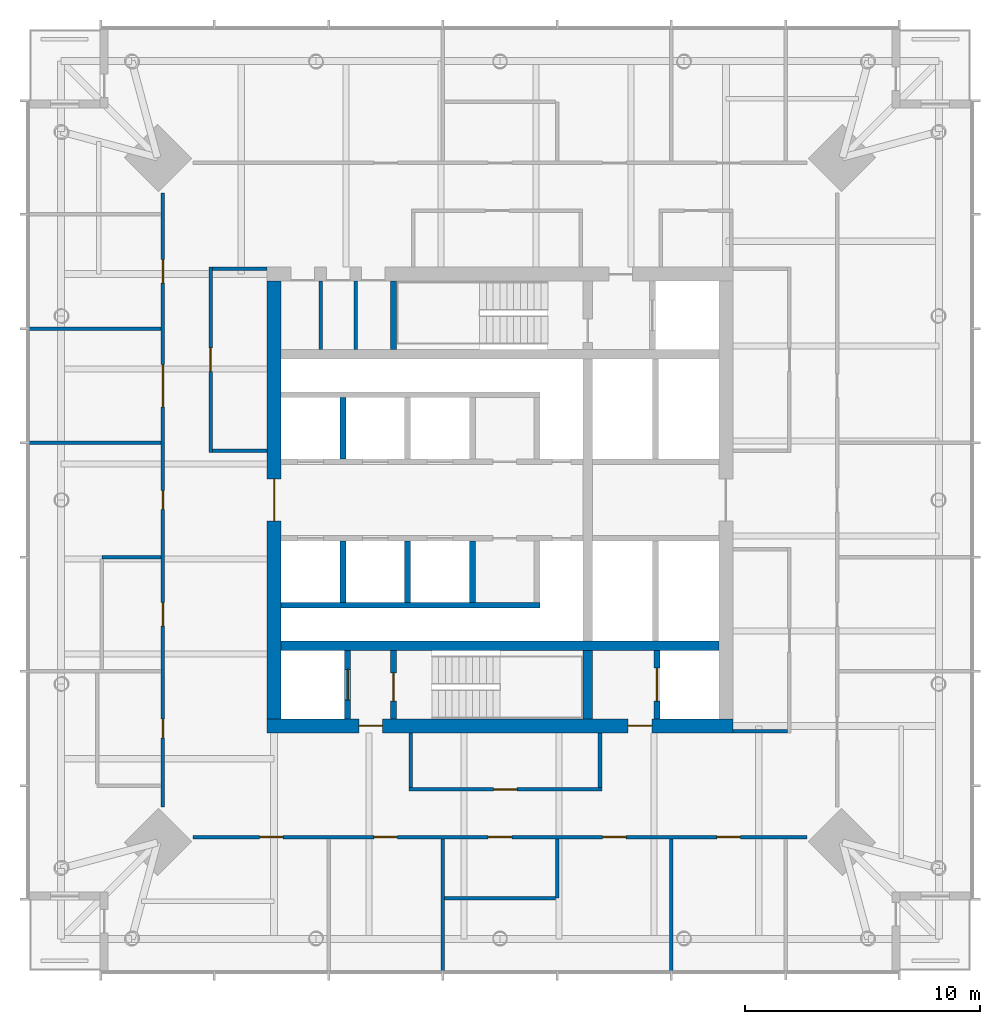
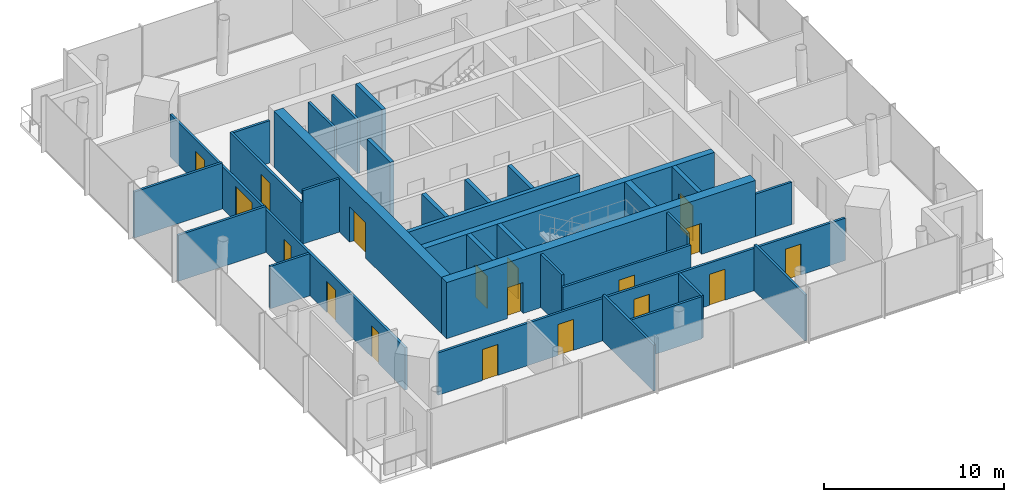
# One storey, part 4 of 7: 31 walls, 18 doors, 18 openings.
"""IFC4 building model written with IfcOpenShell, lengths in metres."""

import ifcopenshell
import ifcopenshell.guid

model = None  # the IFC model being written
_history = None  # IfcOwnerHistory: only IFC2X3 demands one
_inside = {}  # id of a spatial element -> (the spatial element, [elements in it])
_under = {}  # id of a project, library or spatial element -> (it, [spatial elements below it])
_declared = {}  # id of a project -> (the project, [libraries it declares])
_typed = {}  # id of a type object -> (the type object, [elements of that type])
_made_of = {}  # id of a material, layer set ... -> (it, [elements and type objects made of it])


def new_model(schema):
    """Start an empty IFC model of exactly this schema.

    Asked for "IFC4X3", IfcOpenShell would pick the latest addendum, in which some entities
    have other attributes; the version numbers below select the first issue.
    IFC2X3 requires an IfcOwnerHistory on every rooted entity: one is made here for all.
    """
    global model, _history
    if schema == "IFC4X3":
        model = ifcopenshell.file(schema_version=(4, 3, 0, 0))
    else:
        model = ifcopenshell.file(schema=schema)
    _inside.clear()
    _under.clear()
    _declared.clear()
    _typed.clear()
    _made_of.clear()
    _history = None
    if model.schema == "IFC2X3":
        org = make("IfcOrganization", Name="unknown")
        user = make(
            "IfcPersonAndOrganization",
            ThePerson=make("IfcPerson", FamilyName="unknown"),
            TheOrganization=org,
        )
        app = make(
            "IfcApplication",
            ApplicationDeveloper=org,
            Version="unknown",
            ApplicationFullName="unknown",
            ApplicationIdentifier="unknown",
        )
        _history = make(
            "IfcOwnerHistory",
            OwningUser=user,
            OwningApplication=app,
            ChangeAction="ADDED",
            CreationDate=0,
        )
    return model


def make(cls, **values):
    """One entity of the class cls with the attributes given. An attribute that is None is left unset."""
    return model.create_entity(
        cls, **{name: value for name, value in values.items() if value is not None}
    )


def rooted(cls, **values):
    """An entity with a GlobalId (a new one), such as an element, a storey or a relation."""
    return make(cls, GlobalId=ifcopenshell.guid.new(), OwnerHistory=_history, **values)


def si_unit(unit_type, name, prefix=None):
    """IfcSIUnit, for example si_unit("LENGTHUNIT", "METRE", prefix="MILLI")."""
    return make("IfcSIUnit", UnitType=unit_type, Prefix=prefix, Name=name)


def assignment(units):
    """IfcUnitAssignment: the units of a project."""
    return None if units is None else make("IfcUnitAssignment", Units=units)


def point(xyz):
    """IfcCartesianPoint."""
    return None if xyz is None else make("IfcCartesianPoint", Coordinates=xyz)


def direction(xyz):
    """IfcDirection."""
    return None if xyz is None else make("IfcDirection", DirectionRatios=xyz)


def frame(location, z_axis=None, x_axis=None):
    """IfcAxis2Placement3D, a coordinate frame: its origin and axes. An axis left out is left unset."""
    return make(
        "IfcAxis2Placement3D",
        Location=point(location),
        Axis=direction(z_axis),
        RefDirection=direction(x_axis),
    )


def frame_2d(location, x_axis=None):
    """IfcAxis2Placement2D, a coordinate frame in the plane: its origin and x axis."""
    return make(
        "IfcAxis2Placement2D", Location=point(location), RefDirection=direction(x_axis)
    )


def origin():
    """The frame at (0, 0, 0) with its axes left unset."""
    return frame((0.0, 0.0, 0.0))


def place(relative_to, where):
    """IfcLocalPlacement: puts the frame where relative to a parent placement (None: the world)."""
    return make(
        "IfcLocalPlacement", PlacementRelTo=relative_to, RelativePlacement=where
    )


def context(
    kind, dimensions, precision=None, world=None, true_north=None, identifier=None
):
    """IfcGeometricRepresentationContext, for example the 3D "Model" context."""
    return make(
        "IfcGeometricRepresentationContext",
        ContextIdentifier=identifier,
        ContextType=kind,
        CoordinateSpaceDimension=dimensions,
        Precision=precision,
        WorldCoordinateSystem=world,
        TrueNorth=true_north,
    )


def subcontext(parent, identifier, kind, view, scale=None):
    """IfcGeometricRepresentationSubContext, for example "Body" below "Model"."""
    return make(
        "IfcGeometricRepresentationSubContext",
        ContextIdentifier=identifier,
        ContextType=kind,
        ParentContext=parent,
        TargetScale=scale,
        TargetView=view,
    )


def project(units=None, contexts=None):
    """IfcProject with its units and contexts."""
    return rooted(
        "IfcProject",
        Name="project",
        RepresentationContexts=contexts,
        UnitsInContext=assignment(units),
    )


def spatial(cls, under=None, at=None, **own):
    """A site, building, storey or space (cls), placed at a placement, below another one or the project."""
    s = rooted(cls, ObjectPlacement=at, **own)
    if under is not None:
        _under.setdefault(under.id(), (under, []))[1].append(s)
    return s


def profile(cls, at=None, kind="AREA", **sizes):
    """A parametric profile (cls). Its sizes go by their IFC names, for example OverallWidth=200.0."""
    return make(cls, ProfileType=kind, Position=at, **sizes)


def rectangle(**sizes):
    """IfcRectangleProfileDef."""
    return profile("IfcRectangleProfileDef", **sizes)


def extrude(swept, where, along, depth):
    """IfcExtrudedAreaSolid: the profile swept, set in the frame where, extruded along a direction by depth."""
    return make(
        "IfcExtrudedAreaSolid",
        SweptArea=swept,
        Position=where,
        ExtrudedDirection=direction(along),
        Depth=depth,
    )


def shape(context_of_items, identifier, shape_type, items):
    """IfcShapeRepresentation: the items that make up one representation, for example the "Body"."""
    return make(
        "IfcShapeRepresentation",
        ContextOfItems=context_of_items,
        RepresentationIdentifier=identifier,
        RepresentationType=shape_type,
        Items=items,
    )


def material(Name=None, Category=None):
    """IfcMaterial."""
    return make("IfcMaterial", Name=Name, Category=Category)


def layer(
    of_material, thickness, ventilated=None, Name=None, Category=None, Priority=None
):
    """IfcMaterialLayer: one layer of a wall or slab, of a material (None: an air gap)."""
    return make(
        "IfcMaterialLayer",
        Material=of_material,
        LayerThickness=thickness,
        IsVentilated=ventilated,
        Name=Name,
        Category=Category,
        Priority=Priority,
    )


def layer_set(layers, Name=None):
    """IfcMaterialLayerSet."""
    return make("IfcMaterialLayerSet", MaterialLayers=layers, LayerSetName=Name)


def made_of(thing, what):
    """Note that an element or type object is made of a material, layer set ...; save() writes the relation."""
    if what is not None:
        _made_of.setdefault(what.id(), (what, []))[1].append(thing)
    return thing


def type_object(cls, material=None, **own):
    """A type object (cls), such as IfcWallType, which elements share."""
    return made_of(rooted(cls, **own), material)


def element(
    cls,
    number,
    at=None,
    inside=None,
    cuts=None,
    type_object=None,
    material=None,
    context=None,
    identifier="Body",
    shape_type=None,
    held_by="IfcProductDefinitionShape",
    body=None,
    shapes=None,
    **own,
):
    """One element of the class cls, such as IfcWall. Its Tag is "e" and its number.

    at: its placement. inside: the storey or other place that contains it. cuts: it is an
    opening in that element (IfcRelVoidsElement). A single representation is given by context,
    identifier, shape_type and body (its items); several are given by shapes. held_by: the class
    of the entity that holds the representations. save() writes the other relations.
    """
    e = rooted(cls, Tag="e%d" % number, ObjectPlacement=at, **own)
    if body is not None:
        shapes = [shape(context, identifier, shape_type, body)]
    if shapes is not None:
        e.Representation = make(held_by, Representations=shapes)
    if inside is not None:
        _inside.setdefault(inside.id(), (inside, []))[1].append(e)
    if cuts is not None:
        rooted(
            "IfcRelVoidsElement", RelatingBuildingElement=cuts, RelatedOpeningElement=e
        )
    if type_object is not None:
        _typed.setdefault(type_object.id(), (type_object, []))[1].append(e)
    return made_of(e, material)


def fill(opening, filler):
    """IfcRelFillsElement: the door or window that sits in an opening."""
    return rooted(
        "IfcRelFillsElement",
        RelatingOpeningElement=opening,
        RelatedBuildingElement=filler,
    )


def aggregate(whole, parts):
    """IfcRelAggregates: a whole, such as a stair, and the parts it consists of."""
    return rooted("IfcRelAggregates", RelatingObject=whole, RelatedObjects=parts)


def save(model, path):
    """Write the relations noted so far, then the file.

    IfcRelAggregates (storeys below a building ...), IfcRelContainedInSpatialStructure (elements
    in a storey), IfcRelDefinesByType, IfcRelAssociatesMaterial and IfcRelDeclares: one each for
    every whole, place, type object, material and project.
    """
    for whole, parts in _under.values():
        aggregate(whole, parts)
    for where, things in _inside.values():
        rooted(
            "IfcRelContainedInSpatialStructure",
            RelatedElements=things,
            RelatingStructure=where,
        )
    for kind, things in _typed.values():
        rooted("IfcRelDefinesByType", RelatedObjects=things, RelatingType=kind)
    for what, things in _made_of.values():
        rooted("IfcRelAssociatesMaterial", RelatedObjects=things, RelatingMaterial=what)
    for by, libraries in _declared.values():
        rooted("IfcRelDeclares", RelatingContext=by, RelatedDefinitions=libraries)
    model.write(path)


model = new_model("IFC4")

# Units and contexts
model_context = context("Model", 3, precision=1e-05, world=origin(), true_north=direction((0.0, 1.0)))
body_context = subcontext(model_context, "Body", "Model", "MODEL_VIEW")
ifc_project = project(units=[si_unit("LENGTHUNIT", "METRE"), si_unit("AREAUNIT", "SQUARE_METRE"), si_unit("VOLUMEUNIT", "CUBIC_METRE"), si_unit("PLANEANGLEUNIT", "RADIAN"), si_unit("MASSUNIT", "GRAM", prefix="KILO")], contexts=[model_context])

# Site, building, storey
site_placement = place(None, origin())
site = spatial("IfcSite", under=ifc_project, at=site_placement, CompositionType="ELEMENT")
building_placement = place(site_placement, origin())
building = spatial("IfcBuilding", under=site, at=building_placement, Name="Ostroluk Exchange", CompositionType="ELEMENT")
storey_placement = place(building_placement, frame((0.0, 0.0, 188.199951171875)))
storey = spatial("IfcBuildingStorey", under=building, at=storey_placement, Name="L48", CompositionType="ELEMENT", Elevation=188.199951171875)

# Walls
ifc_material_1 = material(Name="Concrete blockwork", Category="masonry")
ifc_layer_1 = layer(ifc_material_1, 0.14990234375)
ifc_layer_set_1 = layer_set([ifc_layer_1], Name="Blockwork plant room wall 150")
wall_type_1 = type_object("IfcWallType", Name="Blockwork plant room wall 150", PredefinedType="SOLIDWALL", material=ifc_layer_set_1)
for number, where, z_axis, x_axis, name in (
    (1, (37.3740234375, 52.39990234375, 0.0), (0.0, 0.0, 1.0), (0.0, 1.0, 0.0), "Core room wall"),
    (2, (38.862060546875, 52.39990234375, 0.0), (0.0, 0.0, 1.0), (0.0, 1.0, 0.0), "Core room wall"),
):
    element("IfcWall", number, at=place(storey_placement, frame(where, z_axis=z_axis, x_axis=x_axis)), inside=storey, type_object=wall_type_1, Name=name, PredefinedType="SOLIDWALL", context=body_context, shape_type="SweptSolid", body=[
        extrude(rectangle(XDim=2.900146484375, YDim=0.14990234375, at=frame_2d((1.4501953125, 0.0))), origin(), (0.0, 0.0, 1.0), 3.6201171875),
    ])
ifc_material_2 = material(Name="Concrete C50/60", Category="concrete")
ifc_layer_2 = layer(ifc_material_2, 0.39990234375)
ifc_layer_set_2 = layer_set([ifc_layer_2], Name="Core cross wall 400 C50/60")
wall_type_2 = type_object("IfcWallType", Name="Core cross wall 400 C50/60", PredefinedType="SHEAR", material=ifc_layer_set_2)
wall_1_placement = place(storey_placement, frame((35.699951171875, 39.800048828125, 0.0), z_axis=(0.0, 0.0, 1.0), x_axis=(1.0, 0.0, 0.0)))
element("IfcWall", 3, at=wall_1_placement, inside=storey, type_object=wall_type_2, Name="T1 core wall XS", PredefinedType="SHEAR", context=body_context, shape_type="SweptSolid", body=[
    extrude(rectangle(XDim=18.60009765625, YDim=0.39990234375, at=frame_2d((9.300048828125, 0.0))), origin(), (0.0, 0.0, 1.0), 3.800048828125),
])
wall_2_placement = place(storey_placement, frame((48.72998046875, 36.699951171875, 0.0), z_axis=(0.0, 0.0, 1.0), x_axis=(0.0, 1.0, 0.0)))
element("IfcWall", 4, at=wall_2_placement, inside=storey, type_object=wall_type_2, Name="T1 core wall YE1", PredefinedType="SHEAR", context=body_context, shape_type="SweptSolid", body=[
    extrude(rectangle(XDim=2.900146484375, YDim=0.39990234375, at=frame_2d((1.4501953125, 0.0))), origin(), (0.0, 0.0, 1.0), 3.800048828125),
])

# Wall, opening, door
ifc_material_3 = material(Name="Concrete C40/50", Category="concrete")
ifc_layer_3 = layer(ifc_material_3, 0.25)
ifc_layer_set_3 = layer_set([ifc_layer_3], Name="Core shaft wall 250")
wall_type_3 = type_object("IfcWallType", Name="Core shaft wall 250", PredefinedType="SHEAR", material=ifc_layer_set_3)
wall_3_placement = place(storey_placement, frame((38.52490234375, 36.699951171875, 0.0), z_axis=(0.0, 0.0, 1.0), x_axis=(0.0, 1.0, 0.0)))
wall_3 = element("IfcWall", 5, at=wall_3_placement, inside=storey, type_object=wall_type_3, Name="Firefighting lift shaft wall", PredefinedType="SHEAR", context=body_context, shape_type="SweptSolid", body=[
    extrude(rectangle(XDim=2.900146484375, YDim=0.25, at=frame_2d((1.4501953125, 0.0))), origin(), (0.0, 0.0, 1.0), 3.800048828125),
])
opening_1_placement = place(wall_3_placement, frame((0.800048828125, 0.0, 0.0)))
opening_1 = element("IfcOpeningElement", 6, at=opening_1_placement, cuts=wall_3, Name="Opening LD2", PredefinedType="OPENING", context=body_context, shape_type="SweptSolid", body=[
    extrude(rectangle(XDim=1.300048828125, YDim=2.199951171875, at=frame_2d((0.64990234375, 1.10009765625))), frame((0.0, 0.135009765625, 0.0), z_axis=(0.0, -1.0, 0.0), x_axis=(1.0, 0.0, 0.0)), (0.0, 0.0, 1.0), 0.27001953125),
])
ifc_material_4 = material(Name="Stainless steel", Category="steel")
door_type_1 = type_object("IfcDoorType", Name="Lift landing door E 60 1300 x 2200", OperationType="DOUBLE_DOOR_SLIDING", PredefinedType="DOOR", material=ifc_material_4)
door_1_placement = place(opening_1_placement, origin())
door_1 = element("IfcDoor", 7, at=door_1_placement, inside=storey, type_object=door_type_1, Name="Lift FL1 landing door", OperationType="DOUBLE_DOOR_SLIDING", OverallHeight=2.199951171875, OverallWidth=1.300048828125, PredefinedType="DOOR", context=body_context, shape_type="SweptSolid", body=[
    extrude(rectangle(XDim=1.300048828125, YDim=2.199951171875, at=frame_2d((0.64990234375, 1.10009765625))), frame((0.0, 0.02490234375, 0.0), z_axis=(0.0, -1.0, 0.0), x_axis=(1.0, 0.0, 0.0)), (0.0, 0.0, 1.0), 0.050048828125),
])
fill(opening_1, door_1)

wall_4_placement = place(storey_placement, frame((40.47509765625, 36.699951171875, 0.0), z_axis=(0.0, 0.0, 1.0), x_axis=(0.0, 1.0, 0.0)))
wall_4 = element("IfcWall", 8, at=wall_4_placement, inside=storey, type_object=wall_type_3, Name="Stair shaft wall", PredefinedType="SHEAR", context=body_context, shape_type="SweptSolid", body=[
    extrude(rectangle(XDim=2.900146484375, YDim=0.25, at=frame_2d((1.4501953125, 0.0))), origin(), (0.0, 0.0, 1.0), 3.800048828125),
])
opening_2_placement = place(wall_4_placement, frame((0.75, 0.0, 0.0)))
opening_2 = element("IfcOpeningElement", 9, at=opening_2_placement, cuts=wall_4, Name="Opening FD60S", PredefinedType="OPENING", context=body_context, shape_type="SweptSolid", body=[
    extrude(rectangle(XDim=1.199951171875, YDim=2.10009765625, at=frame_2d((0.60009765625, 1.050048828125))), frame((0.0, 0.135009765625, 0.0), z_axis=(0.0, -1.0, 0.0), x_axis=(1.0, 0.0, 0.0)), (0.0, 0.0, 1.0), 0.27001953125),
])
ifc_material_5 = material(Name="Steel", Category="steel")
door_type_2 = type_object("IfcDoorType", Name="Stair door EI 60 1200 x 2100", OperationType="SINGLE_SWING_LEFT", PredefinedType="DOOR", material=ifc_material_5)
door_2_placement = place(opening_2_placement, origin())
door_2 = element("IfcDoor", 10, at=door_2_placement, inside=storey, type_object=door_type_2, Name="Stair T1-S1 door", OperationType="SINGLE_SWING_LEFT", OverallHeight=2.10009765625, OverallWidth=1.199951171875, PredefinedType="DOOR", context=body_context, shape_type="SweptSolid", body=[
    extrude(rectangle(XDim=1.199951171875, YDim=2.10009765625, at=frame_2d((0.60009765625, 1.050048828125))), frame((0.0, 0.02490234375, 0.0), z_axis=(0.0, -1.0, 0.0), x_axis=(1.0, 0.0, 0.0)), (0.0, 0.0, 1.0), 0.050048828125),
])
fill(opening_2, door_2)

wall_5_placement = place(storey_placement, frame((51.675048828125, 36.699951171875, 0.0), z_axis=(0.0, 0.0, 1.0), x_axis=(0.0, 1.0, 0.0)))
wall_5 = element("IfcWall", 11, at=wall_5_placement, inside=storey, type_object=wall_type_3, Name="Service lift shaft wall", PredefinedType="SHEAR", context=body_context, shape_type="SweptSolid", body=[
    extrude(rectangle(XDim=2.900146484375, YDim=0.25, at=frame_2d((1.4501953125, 0.0))), origin(), (0.0, 0.0, 1.0), 3.800048828125),
])
opening_3_placement = place(wall_5_placement, frame((0.75, 0.0, 0.0)))
opening_3 = element("IfcOpeningElement", 12, at=opening_3_placement, cuts=wall_5, Name="Opening LD3", PredefinedType="OPENING", context=body_context, shape_type="SweptSolid", body=[
    extrude(rectangle(XDim=1.39990234375, YDim=2.39990234375, at=frame_2d((0.699951171875, 1.199951171875))), frame((0.0, 0.135009765625, 0.0), z_axis=(0.0, -1.0, 0.0), x_axis=(1.0, 0.0, 0.0)), (0.0, 0.0, 1.0), 0.27001953125),
])
ifc_material_6 = material(Name="Stainless steel", Category="steel")
door_type_3 = type_object("IfcDoorType", Name="Goods lift landing door E 60 1400 x 2400", OperationType="DOUBLE_DOOR_SLIDING", PredefinedType="DOOR", material=ifc_material_6)
door_3_placement = place(opening_3_placement, origin())
door_3 = element("IfcDoor", 13, at=door_3_placement, inside=storey, type_object=door_type_3, Name="Lift SL1 landing door", OperationType="DOUBLE_DOOR_SLIDING", OverallHeight=2.39990234375, OverallWidth=1.39990234375, PredefinedType="DOOR", context=body_context, shape_type="SweptSolid", body=[
    extrude(rectangle(XDim=1.39990234375, YDim=2.39990234375, at=frame_2d((0.699951171875, 1.199951171875))), frame((0.0, 0.02490234375, 0.0), z_axis=(0.0, -1.0, 0.0), x_axis=(1.0, 0.0, 0.0)), (0.0, 0.0, 1.0), 0.050048828125),
])
fill(opening_3, door_3)

# Walls
wall_6_placement = place(storey_placement, frame((40.47509765625, 52.39990234375, 0.0), z_axis=(0.0, 0.0, 1.0), x_axis=(0.0, 1.0, 0.0)))
element("IfcWall", 14, at=wall_6_placement, inside=storey, type_object=wall_type_3, Name="Stair shaft wall", PredefinedType="SHEAR", context=body_context, shape_type="SweptSolid", body=[
    extrude(rectangle(XDim=2.900146484375, YDim=0.25, at=frame_2d((1.4501953125, 0.0))), origin(), (0.0, 0.0, 1.0), 3.800048828125),
])
for number, where, z_axis, x_axis, name in (
    (15, (38.324951171875, 47.75, 0.0), (0.0, 0.0, 1.0), (0.0, 1.0, 0.0), "Lift shaft wall"),
    (16, (38.324951171875, 44.25, 0.0), (0.0, 0.0, 1.0), (0.0, -1.0, 0.0), "Lift shaft wall"),
    (17, (41.074951171875, 44.25, 0.0), (0.0, 0.0, 1.0), (0.0, -1.0, 0.0), "Lift shaft wall"),
    (18, (43.824951171875, 44.25, 0.0), (0.0, 0.0, 1.0), (0.0, -1.0, 0.0), "Lift shaft wall"),
):
    element("IfcWall", number, at=place(storey_placement, frame(where, z_axis=z_axis, x_axis=x_axis)), inside=storey, type_object=wall_type_3, Name=name, PredefinedType="SHEAR", context=body_context, shape_type="SweptSolid", body=[
        extrude(rectangle(XDim=2.60009765625, YDim=0.25, at=frame_2d((1.300048828125, 0.0))), origin(), (0.0, 0.0, 1.0), 3.800048828125),
    ])
wall_7_placement = place(storey_placement, frame((35.699951171875, 41.52490234375, 0.0), z_axis=(0.0, 0.0, 1.0), x_axis=(1.0, 0.0, 0.0)))
element("IfcWall", 19, at=wall_7_placement, inside=storey, type_object=wall_type_3, Name="Lift shaft wall", PredefinedType="SHEAR", context=body_context, shape_type="SweptSolid", body=[
    extrude(rectangle(XDim=11.0, YDim=0.25, at=frame_2d((5.5, 0.0))), origin(), (0.0, 0.0, 1.0), 3.800048828125),
])

# Wall, openings, doors
ifc_material_7 = material(Name="Concrete C50/60", Category="concrete")
ifc_layer_4 = layer(ifc_material_7, 0.60009765625)
ifc_layer_set_4 = layer_set([ifc_layer_4], Name="Core wall 600 C50/60")
wall_type_4 = type_object("IfcWallType", Name="Core wall 600 C50/60", PredefinedType="SHEAR", material=ifc_layer_set_4)
wall_8_placement = place(storey_placement, frame((35.10009765625, 36.39990234375, 0.0), z_axis=(0.0, 0.0, 1.0), x_axis=(1.0, 0.0, 0.0)))
wall_8 = element("IfcWall", 20, at=wall_8_placement, inside=storey, type_object=wall_type_4, Name="T1 core wall S", PredefinedType="SHEAR", context=body_context, shape_type="SweptSolid", body=[
    extrude(rectangle(XDim=19.7998046875, YDim=0.60009765625, at=frame_2d((9.89990234375, 0.0))), origin(), (0.0, 0.0, 1.0), 3.800048828125),
])
opening_4_placement = place(wall_8_placement, frame((3.89990234375, 0.0, 0.0)))
opening_4 = element("IfcOpeningElement", 21, at=opening_4_placement, cuts=wall_8, Name="Opening FD60", PredefinedType="OPENING", context=body_context, shape_type="SweptSolid", body=[
    extrude(rectangle(XDim=1.0, YDim=2.10009765625, at=frame_2d((0.5, 1.050048828125))), frame((0.0, 0.31005859375, 0.0), z_axis=(0.0, -1.0, 0.0), x_axis=(1.0, 0.0, 0.0)), (0.0, 0.0, 1.0), 0.6201171875),
])
opening_5_placement = place(wall_8_placement, frame((15.35009765625, 0.0, 0.0)))
opening_5 = element("IfcOpeningElement", 22, at=opening_5_placement, cuts=wall_8, Name="Opening FD60", PredefinedType="OPENING", context=body_context, shape_type="SweptSolid", body=[
    extrude(rectangle(XDim=1.0, YDim=2.10009765625, at=frame_2d((0.5, 1.050048828125))), frame((0.0, 0.31005859375, 0.0), z_axis=(0.0, -1.0, 0.0), x_axis=(1.0, 0.0, 0.0)), (0.0, 0.0, 1.0), 0.6201171875),
])
ifc_material_8 = material(Name="Steel", Category="steel")
door_type_4 = type_object("IfcDoorType", Name="Fire door EI 60 1000 x 2100", OperationType="SINGLE_SWING_LEFT", PredefinedType="DOOR", material=ifc_material_8)
door_4_placement = place(opening_4_placement, origin())
door_4 = element("IfcDoor", 23, at=door_4_placement, inside=storey, type_object=door_type_4, Name="Firefighting lobby door", OperationType="SINGLE_SWING_LEFT", OverallHeight=2.10009765625, OverallWidth=1.0, PredefinedType="DOOR", context=body_context, shape_type="SweptSolid", body=[
    extrude(rectangle(XDim=1.0, YDim=2.10009765625, at=frame_2d((0.5, 1.050048828125))), frame((0.0, 0.02490234375, 0.0), z_axis=(0.0, -1.0, 0.0), x_axis=(1.0, 0.0, 0.0)), (0.0, 0.0, 1.0), 0.050048828125),
])
fill(opening_4, door_4)
door_5_placement = place(opening_5_placement, origin())
door_5 = element("IfcDoor", 24, at=door_5_placement, inside=storey, type_object=door_type_4, Name="Service lobby door", OperationType="SINGLE_SWING_RIGHT", OverallHeight=2.10009765625, OverallWidth=1.0, PredefinedType="DOOR", context=body_context, shape_type="SweptSolid", body=[
    extrude(rectangle(XDim=1.0, YDim=2.10009765625, at=frame_2d((0.5, 1.050048828125))), frame((0.0, 0.02490234375, 0.0), z_axis=(0.0, -1.0, 0.0), x_axis=(1.0, 0.0, 0.0)), (0.0, 0.0, 1.0), 0.050048828125),
])
fill(opening_5, door_5)

# Wall, opening, door
wall_9_placement = place(storey_placement, frame((35.39990234375, 36.699951171875, 0.0), z_axis=(0.0, 0.0, 1.0), x_axis=(0.0, 1.0, 0.0)))
wall_9 = element("IfcWall", 25, at=wall_9_placement, inside=storey, type_object=wall_type_4, Name="T1 core wall W", PredefinedType="SHEAR", context=body_context, shape_type="SweptSolid", body=[
    extrude(rectangle(XDim=18.60009765625, YDim=0.60009765625, at=frame_2d((9.300048828125, 0.0))), origin(), (0.0, 0.0, 1.0), 3.800048828125),
])
opening_6_placement = place(wall_9_placement, frame((8.39990234375, 0.0, 0.0)))
opening_6 = element("IfcOpeningElement", 26, at=opening_6_placement, cuts=wall_9, Name="Opening FD30D", PredefinedType="OPENING", context=body_context, shape_type="SweptSolid", body=[
    extrude(rectangle(XDim=1.800048828125, YDim=2.39990234375, at=frame_2d((0.89990234375, 1.199951171875))), frame((0.0, 0.31005859375, 0.0), z_axis=(0.0, -1.0, 0.0), x_axis=(1.0, 0.0, 0.0)), (0.0, 0.0, 1.0), 0.6201171875),
])
ifc_material_9 = material(Name="Timber", Category="wood")
door_type_5 = type_object("IfcDoorType", Name="Lobby double door EI 30 1800 x 2400", OperationType="DOUBLE_DOOR_SINGLE_SWING", PredefinedType="DOOR", material=ifc_material_9)
door_6_placement = place(opening_6_placement, origin())
door_6 = element("IfcDoor", 27, at=door_6_placement, inside=storey, type_object=door_type_5, Name="Lift lobby doors", OperationType="DOUBLE_DOOR_SINGLE_SWING", OverallHeight=2.39990234375, OverallWidth=1.800048828125, PredefinedType="DOOR", context=body_context, shape_type="SweptSolid", body=[
    extrude(rectangle(XDim=1.800048828125, YDim=2.39990234375, at=frame_2d((0.89990234375, 1.199951171875))), frame((0.0, 0.02490234375, 0.0), z_axis=(0.0, -1.0, 0.0), x_axis=(1.0, 0.0, 0.0)), (0.0, 0.0, 1.0), 0.050048828125),
])
fill(opening_6, door_6)

# Wall
ifc_material_10 = material(Name="Gypsum plasterboard partition", Category="gypsum")
ifc_layer_5 = layer(ifc_material_10, 0.14990234375)
ifc_layer_set_5 = layer_set([ifc_layer_5], Name="Plasterboard partition 150")
wall_type_5 = type_object("IfcWallType", Name="Plasterboard partition 150", PredefinedType="PARTITIONING", material=ifc_layer_set_5)
wall_10_placement = place(storey_placement, frame((54.89990234375, 36.175048828125, 0.0), z_axis=(0.0, 0.0, 1.0), x_axis=(1.0, 0.0, 0.0)))
element("IfcWall", 28, at=wall_10_placement, inside=storey, type_object=wall_type_5, Name="Partition", PredefinedType="PARTITIONING", context=body_context, shape_type="SweptSolid", body=[
    extrude(rectangle(XDim=2.3251953125, YDim=0.14990234375, at=frame_2d((1.16259765625, 0.0))), origin(), (0.0, 0.0, 1.0), 2.866943359375),
])

# Wall, opening, door
wall_11_placement = place(storey_placement, frame((32.699951171875, 55.89990234375, 0.0), z_axis=(0.0, 0.0, 1.0), x_axis=(0.0, -1.0, 0.0)))
wall_11 = element("IfcWall", 29, at=wall_11_placement, inside=storey, type_object=wall_type_5, Name="Partition", PredefinedType="PARTITIONING", context=body_context, shape_type="SweptSolid", body=[
    extrude(rectangle(XDim=7.875, YDim=0.14990234375, at=frame_2d((3.9375, 0.0))), origin(), (0.0, 0.0, 1.0), 2.866943359375),
])
opening_7_placement = place(wall_11_placement, frame((3.4375, 0.0, 0.0)))
opening_7 = element("IfcOpeningElement", 30, at=opening_7_placement, cuts=wall_11, Name="Opening D-03", PredefinedType="OPENING", context=body_context, shape_type="SweptSolid", body=[
    extrude(rectangle(XDim=1.0, YDim=2.10009765625, at=frame_2d((0.5, 1.050048828125))), frame((0.0, 0.0849609375, 0.0), z_axis=(0.0, -1.0, 0.0), x_axis=(1.0, 0.0, 0.0)), (0.0, 0.0, 1.0), 0.169921875),
])
ifc_material_11 = material(Name="Timber", Category="wood")
door_type_6 = type_object("IfcDoorType", Name="Internal door 1000 x 2100", OperationType="SINGLE_SWING_LEFT", PredefinedType="DOOR", material=ifc_material_11)
door_7_placement = place(opening_7_placement, origin())
door_7 = element("IfcDoor", 31, at=door_7_placement, inside=storey, type_object=door_type_6, Name="Tea point door", OperationType="SINGLE_SWING_LEFT", OverallHeight=2.10009765625, OverallWidth=1.0, PredefinedType="DOOR", context=body_context, shape_type="SweptSolid", body=[
    extrude(rectangle(XDim=1.0, YDim=2.10009765625, at=frame_2d((0.5, 1.050048828125))), frame((0.0, 0.02490234375, 0.0), z_axis=(0.0, -1.0, 0.0), x_axis=(1.0, 0.0, 0.0)), (0.0, 0.0, 1.0), 0.050048828125),
])
fill(opening_7, door_7)

# Walls
wall_12_placement = place(storey_placement, frame((35.10009765625, 55.824951171875, 0.0), z_axis=(0.0, 0.0, 1.0), x_axis=(-1.0, 0.0, 0.0)))
element("IfcWall", 32, at=wall_12_placement, inside=storey, type_object=wall_type_5, Name="Partition", PredefinedType="PARTITIONING", context=body_context, shape_type="SweptSolid", body=[
    extrude(rectangle(XDim=2.3251953125, YDim=0.14990234375, at=frame_2d((1.16259765625, 0.0))), origin(), (0.0, 0.0, 1.0), 2.866943359375),
])
wall_13_placement = place(storey_placement, frame((35.10009765625, 48.10009765625, 0.0), z_axis=(0.0, 0.0, 1.0), x_axis=(-1.0, 0.0, 0.0)))
element("IfcWall", 33, at=wall_13_placement, inside=storey, type_object=wall_type_5, Name="Partition", PredefinedType="PARTITIONING", context=body_context, shape_type="SweptSolid", body=[
    extrude(rectangle(XDim=2.3251953125, YDim=0.14990234375, at=frame_2d((1.16259765625, 0.0))), origin(), (0.0, 0.0, 1.0), 3.6201171875),
])

# Wall, opening, door
wall_14_placement = place(storey_placement, frame((41.125, 33.699951171875, 0.0), z_axis=(0.0, 0.0, 1.0), x_axis=(1.0, 0.0, 0.0)))
wall_14 = element("IfcWall", 34, at=wall_14_placement, inside=storey, type_object=wall_type_5, Name="Partition", PredefinedType="PARTITIONING", context=body_context, shape_type="SweptSolid", body=[
    extrude(rectangle(XDim=8.199951171875, YDim=0.14990234375, at=frame_2d((4.10009765625, 0.0))), origin(), (0.0, 0.0, 1.0), 2.866943359375),
])
opening_8_placement = place(wall_14_placement, frame((3.60009765625, 0.0, 0.0)))
opening_8 = element("IfcOpeningElement", 35, at=opening_8_placement, cuts=wall_14, Name="Opening D-03", PredefinedType="OPENING", context=body_context, shape_type="SweptSolid", body=[
    extrude(rectangle(XDim=1.0, YDim=2.10009765625, at=frame_2d((0.5, 1.050048828125))), frame((0.0, 0.0849609375, 0.0), z_axis=(0.0, -1.0, 0.0), x_axis=(1.0, 0.0, 0.0)), (0.0, 0.0, 1.0), 0.169921875),
])
door_8_placement = place(opening_8_placement, origin())
door_8 = element("IfcDoor", 36, at=door_8_placement, inside=storey, type_object=door_type_6, Name="Tea point door", OperationType="SINGLE_SWING_LEFT", OverallHeight=2.10009765625, OverallWidth=1.0, PredefinedType="DOOR", context=body_context, shape_type="SweptSolid", body=[
    extrude(rectangle(XDim=1.0, YDim=2.10009765625, at=frame_2d((0.5, 1.050048828125))), frame((0.0, 0.02490234375, 0.0), z_axis=(0.0, -1.0, 0.0), x_axis=(1.0, 0.0, 0.0)), (0.0, 0.0, 1.0), 0.050048828125),
])
fill(opening_8, door_8)

# Walls
for number, where, z_axis, x_axis, name in (
    (37, (41.199951171875, 36.10009765625, 0.0), (0.0, 0.0, 1.0), (0.0, -1.0, 0.0), "Partition"),
    (38, (49.25, 36.10009765625, 0.0), (0.0, 0.0, 1.0), (0.0, -1.0, 0.0), "Partition"),
):
    element("IfcWall", number, at=place(storey_placement, frame(where, z_axis=z_axis, x_axis=x_axis)), inside=storey, type_object=wall_type_5, Name=name, PredefinedType="PARTITIONING", context=body_context, shape_type="SweptSolid", body=[
        extrude(rectangle(XDim=2.3251953125, YDim=0.14990234375, at=frame_2d((1.16259765625, 0.0))), origin(), (0.0, 0.0, 1.0), 3.6201171875),
    ])

# Wall, openings, doors
wall_15_placement = place(storey_placement, frame((30.675048828125, 59.05712890625, 0.0), z_axis=(0.0, 0.0, 1.0), x_axis=(0.0, -1.0, 0.0)))
wall_15 = element("IfcWall", 39, at=wall_15_placement, inside=storey, type_object=wall_type_5, Name="Partition", PredefinedType="PARTITIONING", context=body_context, shape_type="SweptSolid", body=[
    extrude(rectangle(XDim=26.1142578125, YDim=0.14990234375, at=frame_2d((13.05712890625, 0.0))), origin(), (0.0, 0.0, 1.0), 2.866943359375),
])
opening_9_placement = place(wall_15_placement, frame((2.843017578125, 0.0, 0.0)))
opening_9 = element("IfcOpeningElement", 40, at=opening_9_placement, cuts=wall_15, Name="Opening D-03", PredefinedType="OPENING", context=body_context, shape_type="SweptSolid", body=[
    extrude(rectangle(XDim=1.0, YDim=2.10009765625, at=frame_2d((0.5, 1.050048828125))), frame((0.0, 0.0849609375, 0.0), z_axis=(0.0, -1.0, 0.0), x_axis=(1.0, 0.0, 0.0)), (0.0, 0.0, 1.0), 0.169921875),
])
opening_10_placement = place(wall_15_placement, frame((7.300048828125, 0.0, 0.0)))
opening_10 = element("IfcOpeningElement", 41, at=opening_10_placement, cuts=wall_15, Name="Opening D-04", PredefinedType="OPENING", context=body_context, shape_type="SweptSolid", body=[
    extrude(rectangle(XDim=1.800048828125, YDim=2.39990234375, at=frame_2d((0.89990234375, 1.199951171875))), frame((0.0, 0.0849609375, 0.0), z_axis=(0.0, -1.0, 0.0), x_axis=(1.0, 0.0, 0.0)), (0.0, 0.0, 1.0), 0.169921875),
])
opening_11_placement = place(wall_15_placement, frame((12.6572265625, 0.0, 0.0)))
opening_11 = element("IfcOpeningElement", 42, at=opening_11_placement, cuts=wall_15, Name="Opening D-06", PredefinedType="OPENING", context=body_context, shape_type="SweptSolid", body=[
    extrude(rectangle(XDim=0.800048828125, YDim=2.10009765625, at=frame_2d((0.39990234375, 1.050048828125))), frame((0.0, 0.0849609375, 0.0), z_axis=(0.0, -1.0, 0.0), x_axis=(1.0, 0.0, 0.0)), (0.0, 0.0, 1.0), 0.169921875),
])
opening_12_placement = place(wall_15_placement, frame((17.414306640625, 0.0, 0.0)))
opening_12 = element("IfcOpeningElement", 43, at=opening_12_placement, cuts=wall_15, Name="Opening D-03", PredefinedType="OPENING", context=body_context, shape_type="SweptSolid", body=[
    extrude(rectangle(XDim=1.0, YDim=2.10009765625, at=frame_2d((0.5, 1.050048828125))), frame((0.0, 0.0849609375, 0.0), z_axis=(0.0, -1.0, 0.0), x_axis=(1.0, 0.0, 0.0)), (0.0, 0.0, 1.0), 0.169921875),
])
opening_13_placement = place(wall_15_placement, frame((22.37158203125, 0.0, 0.0)))
opening_13 = element("IfcOpeningElement", 44, at=opening_13_placement, cuts=wall_15, Name="Opening D-06", PredefinedType="OPENING", context=body_context, shape_type="SweptSolid", body=[
    extrude(rectangle(XDim=0.800048828125, YDim=2.10009765625, at=frame_2d((0.39990234375, 1.050048828125))), frame((0.0, 0.0849609375, 0.0), z_axis=(0.0, -1.0, 0.0), x_axis=(1.0, 0.0, 0.0)), (0.0, 0.0, 1.0), 0.169921875),
])
ifc_material_12 = material(Name="Timber", Category="wood")
door_type_7 = type_object("IfcDoorType", Name="Double door 1800 x 2400", OperationType="DOUBLE_DOOR_SINGLE_SWING", PredefinedType="DOOR", material=ifc_material_12)
door_9_placement = place(opening_10_placement, origin())
door_9 = element("IfcDoor", 45, at=door_9_placement, inside=storey, type_object=door_type_7, Name="Boardroom door", OperationType="DOUBLE_DOOR_SINGLE_SWING", OverallHeight=2.39990234375, OverallWidth=1.800048828125, PredefinedType="DOOR", context=body_context, shape_type="SweptSolid", body=[
    extrude(rectangle(XDim=1.800048828125, YDim=2.39990234375, at=frame_2d((0.89990234375, 1.199951171875))), frame((0.0, 0.02490234375, 0.0), z_axis=(0.0, -1.0, 0.0), x_axis=(1.0, 0.0, 0.0)), (0.0, 0.0, 1.0), 0.050048828125),
])
fill(opening_10, door_9)
door_10_placement = place(opening_9_placement, origin())
door_10 = element("IfcDoor", 46, at=door_10_placement, inside=storey, type_object=door_type_6, Name="Office door", OperationType="SINGLE_SWING_LEFT", OverallHeight=2.10009765625, OverallWidth=1.0, PredefinedType="DOOR", context=body_context, shape_type="SweptSolid", body=[
    extrude(rectangle(XDim=1.0, YDim=2.10009765625, at=frame_2d((0.5, 1.050048828125))), frame((0.0, 0.02490234375, 0.0), z_axis=(0.0, -1.0, 0.0), x_axis=(1.0, 0.0, 0.0)), (0.0, 0.0, 1.0), 0.050048828125),
])
fill(opening_9, door_10)
door_11_placement = place(opening_12_placement, origin())
door_11 = element("IfcDoor", 47, at=door_11_placement, inside=storey, type_object=door_type_6, Name="Accessible WC door", OperationType="SINGLE_SWING_RIGHT", OverallHeight=2.10009765625, OverallWidth=1.0, PredefinedType="DOOR", context=body_context, shape_type="SweptSolid", body=[
    extrude(rectangle(XDim=1.0, YDim=2.10009765625, at=frame_2d((0.5, 1.050048828125))), frame((0.0, 0.02490234375, 0.0), z_axis=(0.0, -1.0, 0.0), x_axis=(1.0, 0.0, 0.0)), (0.0, 0.0, 1.0), 0.050048828125),
])
fill(opening_12, door_11)
ifc_material_13 = material(Name="Timber", Category="wood")
door_type_8 = type_object("IfcDoorType", Name="Toilet door 800 x 2100", OperationType="SINGLE_SWING_LEFT", PredefinedType="DOOR", material=ifc_material_13)
door_12_placement = place(opening_11_placement, origin())
door_12 = element("IfcDoor", 48, at=door_12_placement, inside=storey, type_object=door_type_8, Name="WC female door", OperationType="SINGLE_SWING_LEFT", OverallHeight=2.10009765625, OverallWidth=0.800048828125, PredefinedType="DOOR", context=body_context, shape_type="SweptSolid", body=[
    extrude(rectangle(XDim=0.800048828125, YDim=2.10009765625, at=frame_2d((0.39990234375, 1.050048828125))), frame((0.0, 0.02490234375, 0.0), z_axis=(0.0, -1.0, 0.0), x_axis=(1.0, 0.0, 0.0)), (0.0, 0.0, 1.0), 0.050048828125),
])
fill(opening_11, door_12)
door_13_placement = place(opening_13_placement, origin())
door_13 = element("IfcDoor", 49, at=door_13_placement, inside=storey, type_object=door_type_8, Name="WC male door", OperationType="SINGLE_SWING_RIGHT", OverallHeight=2.10009765625, OverallWidth=0.800048828125, PredefinedType="DOOR", context=body_context, shape_type="SweptSolid", body=[
    extrude(rectangle(XDim=0.800048828125, YDim=2.10009765625, at=frame_2d((0.39990234375, 1.050048828125))), frame((0.0, 0.02490234375, 0.0), z_axis=(0.0, -1.0, 0.0), x_axis=(1.0, 0.0, 0.0)), (0.0, 0.0, 1.0), 0.050048828125),
])
fill(opening_13, door_13)

# Walls
for number, where, z_axis, x_axis, name in (
    (50, (30.60009765625, 53.28564453125, 0.0), (0.0, 0.0, 1.0), (-1.0, 0.0, 0.0), "Partition"),
    (51, (30.60009765625, 48.428466796875, 0.0), (0.0, 0.0, 1.0), (-1.0, 0.0, 0.0), "Partition"),
):
    element("IfcWall", number, at=place(storey_placement, frame(where, z_axis=z_axis, x_axis=x_axis)), inside=storey, type_object=wall_type_5, Name=name, PredefinedType="PARTITIONING", context=body_context, shape_type="SweptSolid", body=[
        extrude(rectangle(XDim=5.64013671875, YDim=0.14990234375, at=frame_2d((2.820068359375, 0.0))), origin(), (0.0, 0.0, 1.0), 3.1201171875),
    ])
wall_16_placement = place(storey_placement, frame((30.60009765625, 43.571533203125, 0.0), z_axis=(0.0, 0.0, 1.0), x_axis=(-1.0, 0.0, 0.0)))
element("IfcWall", 52, at=wall_16_placement, inside=storey, type_object=wall_type_5, Name="Partition", PredefinedType="PARTITIONING", context=body_context, shape_type="SweptSolid", body=[
    extrude(rectangle(XDim=2.525146484375, YDim=0.14990234375, at=frame_2d((1.2626953125, 0.0))), origin(), (0.0, 0.0, 1.0), 2.866943359375),
])
wall_17_placement = place(storey_placement, frame((42.646484375, 29.074951171875, 0.0), z_axis=(0.0, 0.0, 1.0), x_axis=(1.0, 0.0, 0.0)))
element("IfcWall", 53, at=wall_17_placement, inside=storey, type_object=wall_type_5, Name="Partition", PredefinedType="PARTITIONING", context=body_context, shape_type="SweptSolid", body=[
    extrude(rectangle(XDim=4.70703125, YDim=0.14990234375, at=frame_2d((2.353515625, 0.0))), origin(), (0.0, 0.0, 1.0), 2.866943359375),
])

# Wall, openings, doors
wall_18_placement = place(storey_placement, frame((31.94287109375, 31.675048828125, 0.0), z_axis=(0.0, 0.0, 1.0), x_axis=(1.0, 0.0, 0.0)))
wall_18 = element("IfcWall", 54, at=wall_18_placement, inside=storey, type_object=wall_type_5, Name="Partition", PredefinedType="PARTITIONING", context=body_context, shape_type="SweptSolid", body=[
    extrude(rectangle(XDim=26.1142578125, YDim=0.14990234375, at=frame_2d((13.05712890625, 0.0))), origin(), (0.0, 0.0, 1.0), 2.866943359375),
])
opening_14_placement = place(wall_18_placement, frame((2.843017578125, 0.0, 0.0)))
opening_14 = element("IfcOpeningElement", 55, at=opening_14_placement, cuts=wall_18, Name="Opening D-03", PredefinedType="OPENING", context=body_context, shape_type="SweptSolid", body=[
    extrude(rectangle(XDim=1.0, YDim=2.10009765625, at=frame_2d((0.5, 1.050048828125))), frame((0.0, 0.0849609375, 0.0), z_axis=(0.0, -1.0, 0.0), x_axis=(1.0, 0.0, 0.0)), (0.0, 0.0, 1.0), 0.169921875),
])
opening_15_placement = place(wall_18_placement, frame((7.699951171875, 0.0, 0.0)))
opening_15 = element("IfcOpeningElement", 56, at=opening_15_placement, cuts=wall_18, Name="Opening D-03", PredefinedType="OPENING", context=body_context, shape_type="SweptSolid", body=[
    extrude(rectangle(XDim=1.0, YDim=2.10009765625, at=frame_2d((0.5, 1.050048828125))), frame((0.0, 0.0849609375, 0.0), z_axis=(0.0, -1.0, 0.0), x_axis=(1.0, 0.0, 0.0)), (0.0, 0.0, 1.0), 0.169921875),
])
opening_16_placement = place(wall_18_placement, frame((12.55712890625, 0.0, 0.0)))
opening_16 = element("IfcOpeningElement", 57, at=opening_16_placement, cuts=wall_18, Name="Opening D-03", PredefinedType="OPENING", context=body_context, shape_type="SweptSolid", body=[
    extrude(rectangle(XDim=1.0, YDim=2.10009765625, at=frame_2d((0.5, 1.050048828125))), frame((0.0, 0.0849609375, 0.0), z_axis=(0.0, -1.0, 0.0), x_axis=(1.0, 0.0, 0.0)), (0.0, 0.0, 1.0), 0.169921875),
])
opening_17_placement = place(wall_18_placement, frame((17.414306640625, 0.0, 0.0)))
opening_17 = element("IfcOpeningElement", 58, at=opening_17_placement, cuts=wall_18, Name="Opening D-03", PredefinedType="OPENING", context=body_context, shape_type="SweptSolid", body=[
    extrude(rectangle(XDim=1.0, YDim=2.10009765625, at=frame_2d((0.5, 1.050048828125))), frame((0.0, 0.0849609375, 0.0), z_axis=(0.0, -1.0, 0.0), x_axis=(1.0, 0.0, 0.0)), (0.0, 0.0, 1.0), 0.169921875),
])
opening_18_placement = place(wall_18_placement, frame((22.271484375, 0.0, 0.0)))
opening_18 = element("IfcOpeningElement", 59, at=opening_18_placement, cuts=wall_18, Name="Opening D-03", PredefinedType="OPENING", context=body_context, shape_type="SweptSolid", body=[
    extrude(rectangle(XDim=1.0, YDim=2.10009765625, at=frame_2d((0.5, 1.050048828125))), frame((0.0, 0.0849609375, 0.0), z_axis=(0.0, -1.0, 0.0), x_axis=(1.0, 0.0, 0.0)), (0.0, 0.0, 1.0), 0.169921875),
])
door_14_placement = place(opening_14_placement, origin())
door_14 = element("IfcDoor", 60, at=door_14_placement, inside=storey, type_object=door_type_6, Name="Office suite door", OperationType="SINGLE_SWING_LEFT", OverallHeight=2.10009765625, OverallWidth=1.0, PredefinedType="DOOR", context=body_context, shape_type="SweptSolid", body=[
    extrude(rectangle(XDim=1.0, YDim=2.10009765625, at=frame_2d((0.5, 1.050048828125))), frame((0.0, 0.02490234375, 0.0), z_axis=(0.0, -1.0, 0.0), x_axis=(1.0, 0.0, 0.0)), (0.0, 0.0, 1.0), 0.050048828125),
])
fill(opening_14, door_14)
door_15_placement = place(opening_15_placement, origin())
door_15 = element("IfcDoor", 61, at=door_15_placement, inside=storey, type_object=door_type_6, Name="Meeting room door", OperationType="SINGLE_SWING_LEFT", OverallHeight=2.10009765625, OverallWidth=1.0, PredefinedType="DOOR", context=body_context, shape_type="SweptSolid", body=[
    extrude(rectangle(XDim=1.0, YDim=2.10009765625, at=frame_2d((0.5, 1.050048828125))), frame((0.0, 0.02490234375, 0.0), z_axis=(0.0, -1.0, 0.0), x_axis=(1.0, 0.0, 0.0)), (0.0, 0.0, 1.0), 0.050048828125),
])
fill(opening_15, door_15)
door_16_placement = place(opening_16_placement, origin())
door_16 = element("IfcDoor", 62, at=door_16_placement, inside=storey, type_object=door_type_6, Name="Pantry door", OperationType="SINGLE_SWING_LEFT", OverallHeight=2.10009765625, OverallWidth=1.0, PredefinedType="DOOR", context=body_context, shape_type="SweptSolid", body=[
    extrude(rectangle(XDim=1.0, YDim=2.10009765625, at=frame_2d((0.5, 1.050048828125))), frame((0.0, 0.02490234375, 0.0), z_axis=(0.0, -1.0, 0.0), x_axis=(1.0, 0.0, 0.0)), (0.0, 0.0, 1.0), 0.050048828125),
])
fill(opening_16, door_16)
door_17_placement = place(opening_17_placement, origin())
door_17 = element("IfcDoor", 63, at=door_17_placement, inside=storey, type_object=door_type_6, Name="Office door", OperationType="SINGLE_SWING_RIGHT", OverallHeight=2.10009765625, OverallWidth=1.0, PredefinedType="DOOR", context=body_context, shape_type="SweptSolid", body=[
    extrude(rectangle(XDim=1.0, YDim=2.10009765625, at=frame_2d((0.5, 1.050048828125))), frame((0.0, 0.02490234375, 0.0), z_axis=(0.0, -1.0, 0.0), x_axis=(1.0, 0.0, 0.0)), (0.0, 0.0, 1.0), 0.050048828125),
])
fill(opening_17, door_17)
door_18_placement = place(opening_18_placement, origin())
door_18 = element("IfcDoor", 64, at=door_18_placement, inside=storey, type_object=door_type_6, Name="Office door", OperationType="SINGLE_SWING_RIGHT", OverallHeight=2.10009765625, OverallWidth=1.0, PredefinedType="DOOR", context=body_context, shape_type="SweptSolid", body=[
    extrude(rectangle(XDim=1.0, YDim=2.10009765625, at=frame_2d((0.5, 1.050048828125))), frame((0.0, 0.02490234375, 0.0), z_axis=(0.0, -1.0, 0.0), x_axis=(1.0, 0.0, 0.0)), (0.0, 0.0, 1.0), 0.050048828125),
])
fill(opening_18, door_18)

# Walls
wall_19_placement = place(storey_placement, frame((42.571533203125, 31.60009765625, 0.0), z_axis=(0.0, 0.0, 1.0), x_axis=(0.0, -1.0, 0.0)))
element("IfcWall", 65, at=wall_19_placement, inside=storey, type_object=wall_type_5, Name="Partition", PredefinedType="PARTITIONING", context=body_context, shape_type="SweptSolid", body=[
    extrude(rectangle(XDim=5.64013671875, YDim=0.14990234375, at=frame_2d((2.820068359375, 0.0))), origin(), (0.0, 0.0, 1.0), 3.1201171875),
])
wall_20_placement = place(storey_placement, frame((47.428466796875, 31.60009765625, 0.0), z_axis=(0.0, 0.0, 1.0), x_axis=(0.0, -1.0, 0.0)))
element("IfcWall", 66, at=wall_20_placement, inside=storey, type_object=wall_type_5, Name="Partition", PredefinedType="PARTITIONING", context=body_context, shape_type="SweptSolid", body=[
    extrude(rectangle(XDim=2.525146484375, YDim=0.14990234375, at=frame_2d((1.2626953125, 0.0))), origin(), (0.0, 0.0, 1.0), 2.866943359375),
])
wall_21_placement = place(storey_placement, frame((52.28564453125, 31.60009765625, 0.0), z_axis=(0.0, 0.0, 1.0), x_axis=(0.0, -1.0, 0.0)))
element("IfcWall", 67, at=wall_21_placement, inside=storey, type_object=wall_type_5, Name="Partition", PredefinedType="PARTITIONING", context=body_context, shape_type="SweptSolid", body=[
    extrude(rectangle(XDim=5.64013671875, YDim=0.14990234375, at=frame_2d((2.820068359375, 0.0))), origin(), (0.0, 0.0, 1.0), 3.1201171875),
])

save(model, "model.ifc")
